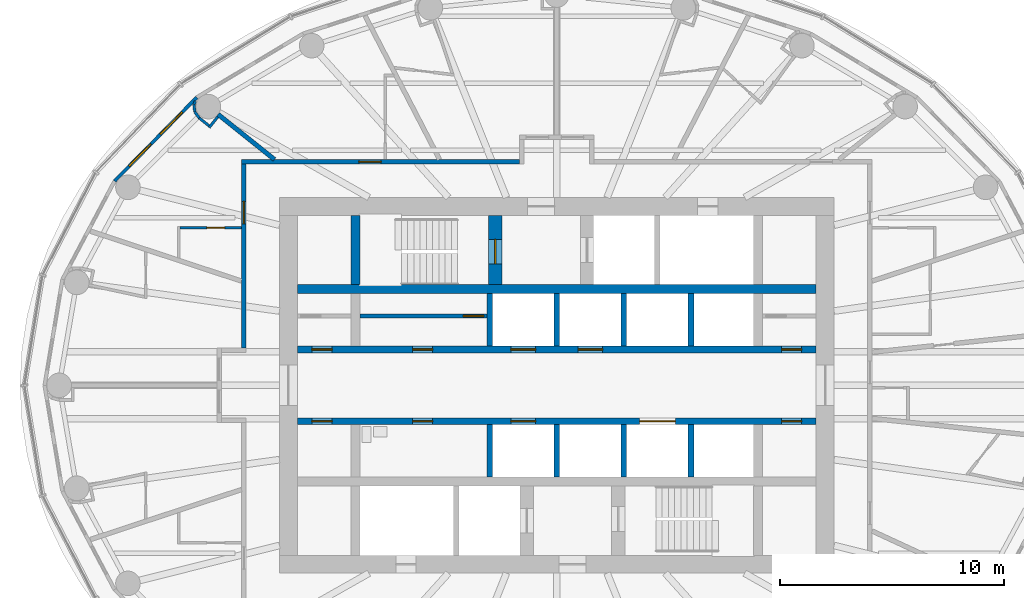
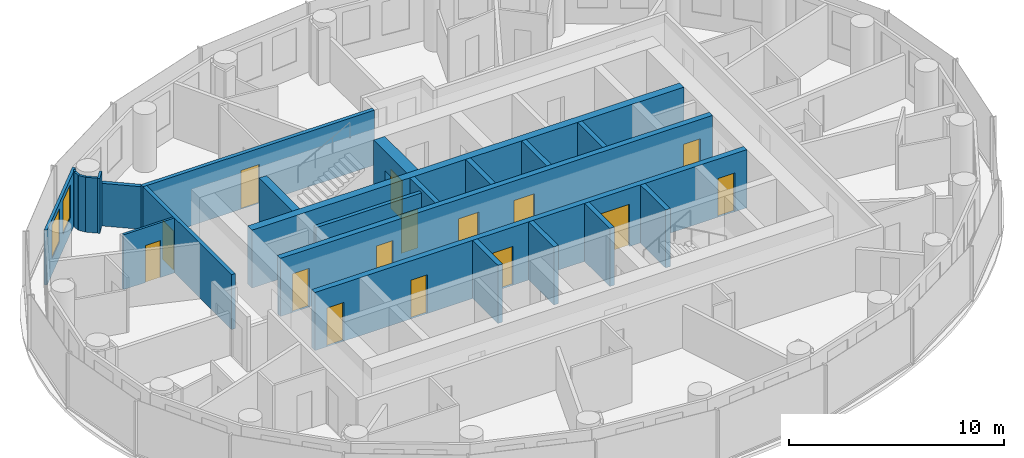
# One storey, part 9 of 16: 24 walls, 15 doors, 2 windows, 17 openings.
"""IFC4 building model written with IfcOpenShell, lengths in metres."""

from ifc_helpers import new_model, si_unit, direction, frame, frame_2d, origin, place, context, subcontext, project, spatial, rectangle, extrude, material, layer, layer_set, type_object, element, fill, save


model = new_model("IFC4")

# Units and contexts
model_context = context("Model", 3, precision=1e-05, world=origin(), true_north=direction((0.0, 1.0)))
body_context = subcontext(model_context, "Body", "Model", "MODEL_VIEW")
ifc_project = project(units=[si_unit("LENGTHUNIT", "METRE"), si_unit("AREAUNIT", "SQUARE_METRE"), si_unit("VOLUMEUNIT", "CUBIC_METRE"), si_unit("PLANEANGLEUNIT", "RADIAN"), si_unit("MASSUNIT", "GRAM", prefix="KILO")], contexts=[model_context])

# Site, building, storey
site_placement = place(None, origin())
site = spatial("IfcSite", under=ifc_project, at=site_placement, CompositionType="ELEMENT")
building_placement = place(site_placement, origin())
building = spatial("IfcBuilding", under=site, at=building_placement, Name="Hankou Lantern Tower", CompositionType="ELEMENT")
storey_placement = place(building_placement, frame((0.0, 0.0, 173.10009765625)))
storey = spatial("IfcBuildingStorey", under=building, at=storey_placement, Name="L46", CompositionType="ELEMENT", Elevation=173.10009765625)

# Walls
ifc_material_1 = material(Name="Concrete C60", Category="concrete")
ifc_layer_1 = layer(ifc_material_1, 0.39990234375)
ifc_layer_set_1 = layer_set([ifc_layer_1], Name="Concrete C60")
wall_type_1 = type_object("IfcWallType", Name="CW4 CORE CROSS WALL 400", PredefinedType="SHEAR", material=ifc_layer_set_1)
wall_1_placement = place(storey_placement, frame((-11.60009765625, 4.300048828125, 0.0), z_axis=(0.0, 0.0, 1.0), x_axis=(1.0, 0.0, 0.0)))
element("IfcWall", 1, at=wall_1_placement, inside=storey, type_object=wall_type_1, Name="Core band wall north L46", PredefinedType="SHEAR", context=body_context, shape_type="SweptSolid", body=[
    extrude(rectangle(XDim=23.2001953125, YDim=0.39990234375, at=frame_2d((11.60009765625, 0.0))), origin(), (0.0, 0.0, 1.0), 3.2998046875),
])
wall_2_placement = place(storey_placement, frame((-9.0, 4.5, 0.0), z_axis=(0.0, 0.0, 1.0), x_axis=(0.0, 1.0, 0.0)))
element("IfcWall", 2, at=wall_2_placement, inside=storey, type_object=wall_type_1, Name="Core strip wall L46", PredefinedType="SHEAR", context=body_context, shape_type="SweptSolid", body=[
    extrude(rectangle(XDim=3.10009765625, YDim=0.39990234375, at=frame_2d((1.550048828125, 0.0))), origin(), (0.0, 0.0, 1.0), 3.2998046875),
])

# Wall, openings, doors
ifc_material_2 = material(Name="Concrete C60", Category="concrete")
ifc_layer_2 = layer(ifc_material_2, 0.300048828125)
ifc_layer_set_2 = layer_set([ifc_layer_2], Name="Concrete C60")
wall_type_2 = type_object("IfcWallType", Name="CW5 LIFT LOBBY WALL 300", PredefinedType="SHEAR", material=ifc_layer_set_2)
wall_3_placement = place(storey_placement, frame((-11.60009765625, 1.60009765625, 0.0), z_axis=(0.0, 0.0, 1.0), x_axis=(1.0, 0.0, 0.0)))
wall_3 = element("IfcWall", 3, at=wall_3_placement, inside=storey, type_object=wall_type_2, Name="Lift lobby wall north L46", PredefinedType="SHEAR", context=body_context, shape_type="SweptSolid", body=[
    extrude(rectangle(XDim=23.2001953125, YDim=0.300048828125, at=frame_2d((11.60009765625, 0.0))), origin(), (0.0, 0.0, 1.0), 3.2998046875),
])
opening_1_placement = place(wall_3_placement, frame((9.550048828125, 0.0, 0.0)))
opening_1 = element("IfcOpeningElement", 4, at=opening_1_placement, cuts=wall_3, Name="Opening LD1", PredefinedType="OPENING", context=body_context, shape_type="SweptSolid", body=[
    extrude(rectangle(XDim=1.10009765625, YDim=2.199951171875, at=frame_2d((0.550048828125, 1.10009765625))), frame((0.0, 0.159912109375, 0.0), z_axis=(0.0, -1.0, 0.0), x_axis=(1.0, 0.0, 0.0)), (0.0, 0.0, 1.0), 0.320068359375),
])
opening_2_placement = place(wall_3_placement, frame((12.550048828125, 0.0, 0.0)))
opening_2 = element("IfcOpeningElement", 5, at=opening_2_placement, cuts=wall_3, Name="Opening LD1", PredefinedType="OPENING", context=body_context, shape_type="SweptSolid", body=[
    extrude(rectangle(XDim=1.10009765625, YDim=2.199951171875, at=frame_2d((0.550048828125, 1.10009765625))), frame((0.0, 0.159912109375, 0.0), z_axis=(0.0, -1.0, 0.0), x_axis=(1.0, 0.0, 0.0)), (0.0, 0.0, 1.0), 0.320068359375),
])
opening_3_placement = place(wall_3_placement, frame((0.64990234375, 0.0, 0.0)))
opening_3 = element("IfcOpeningElement", 6, at=opening_3_placement, cuts=wall_3, Name="Opening D30", PredefinedType="OPENING", context=body_context, shape_type="SweptSolid", body=[
    extrude(rectangle(XDim=0.89990234375, YDim=2.199951171875, at=frame_2d((0.449951171875, 1.10009765625))), frame((0.0, 0.159912109375, 0.0), z_axis=(0.0, -1.0, 0.0), x_axis=(1.0, 0.0, 0.0)), (0.0, 0.0, 1.0), 0.320068359375),
])
opening_4_placement = place(wall_3_placement, frame((5.14990234375, 0.0, 0.0)))
opening_4 = element("IfcOpeningElement", 7, at=opening_4_placement, cuts=wall_3, Name="Opening D30", PredefinedType="OPENING", context=body_context, shape_type="SweptSolid", body=[
    extrude(rectangle(XDim=0.89990234375, YDim=2.199951171875, at=frame_2d((0.449951171875, 1.10009765625))), frame((0.0, 0.159912109375, 0.0), z_axis=(0.0, -1.0, 0.0), x_axis=(1.0, 0.0, 0.0)), (0.0, 0.0, 1.0), 0.320068359375),
])
opening_5_placement = place(wall_3_placement, frame((21.64990234375, 0.0, 0.0)))
opening_5 = element("IfcOpeningElement", 8, at=opening_5_placement, cuts=wall_3, Name="Opening D30", PredefinedType="OPENING", context=body_context, shape_type="SweptSolid", body=[
    extrude(rectangle(XDim=0.89990234375, YDim=2.199951171875, at=frame_2d((0.449951171875, 1.10009765625))), frame((0.0, 0.159912109375, 0.0), z_axis=(0.0, -1.0, 0.0), x_axis=(1.0, 0.0, 0.0)), (0.0, 0.0, 1.0), 0.320068359375),
])
ifc_material_3 = material(Name="Steel door leaf", Category="steel")
door_type_1 = type_object("IfcDoorType", Name="D30 CORE ROOM DOOR 900X2200", OperationType="SINGLE_SWING_LEFT", PredefinedType="DOOR", material=ifc_material_3)
door_1_placement = place(opening_3_placement, origin())
door_1 = element("IfcDoor", 9, at=door_1_placement, inside=storey, type_object=door_type_1, Name="Guest pantry and ice room door", OperationType="SINGLE_SWING_LEFT", OverallHeight=2.199951171875, OverallWidth=0.89990234375, PredefinedType="DOOR", context=body_context, shape_type="SweptSolid", body=[
    extrude(rectangle(XDim=0.89990234375, YDim=2.199951171875, at=frame_2d((0.449951171875, 1.10009765625))), frame((0.0, 0.02490234375, 0.0), z_axis=(0.0, -1.0, 0.0), x_axis=(1.0, 0.0, 0.0)), (0.0, 0.0, 1.0), 0.050048828125),
])
fill(opening_3, door_1)
door_2_placement = place(opening_4_placement, origin())
door_2 = element("IfcDoor", 10, at=door_2_placement, inside=storey, type_object=door_type_1, Name="Vending room door", OperationType="SINGLE_SWING_LEFT", OverallHeight=2.199951171875, OverallWidth=0.89990234375, PredefinedType="DOOR", context=body_context, shape_type="SweptSolid", body=[
    extrude(rectangle(XDim=0.89990234375, YDim=2.199951171875, at=frame_2d((0.449951171875, 1.10009765625))), frame((0.0, 0.02490234375, 0.0), z_axis=(0.0, -1.0, 0.0), x_axis=(1.0, 0.0, 0.0)), (0.0, 0.0, 1.0), 0.050048828125),
])
fill(opening_4, door_2)
door_3_placement = place(opening_5_placement, origin())
door_3 = element("IfcDoor", 11, at=door_3_placement, inside=storey, type_object=door_type_1, Name="Staff locker room door", OperationType="SINGLE_SWING_RIGHT", OverallHeight=2.199951171875, OverallWidth=0.89990234375, PredefinedType="DOOR", context=body_context, shape_type="SweptSolid", body=[
    extrude(rectangle(XDim=0.89990234375, YDim=2.199951171875, at=frame_2d((0.449951171875, 1.10009765625))), frame((0.0, 0.02490234375, 0.0), z_axis=(0.0, -1.0, 0.0), x_axis=(1.0, 0.0, 0.0)), (0.0, 0.0, 1.0), 0.050048828125),
])
fill(opening_5, door_3)
ifc_material_4 = material(Name="Steel door leaf", Category="steel")
door_type_2 = type_object("IfcDoorType", Name="LD1 LIFT LANDING DOOR 1100X2200", OperationType="DOUBLE_DOOR_SLIDING", PredefinedType="DOOR", material=ifc_material_4)
door_4_placement = place(opening_1_placement, origin())
door_4 = element("IfcDoor", 12, at=door_4_placement, inside=storey, type_object=door_type_2, Name="Lift H1 landing door", OperationType="DOUBLE_DOOR_SLIDING", OverallHeight=2.199951171875, OverallWidth=1.10009765625, PredefinedType="DOOR", context=body_context, shape_type="SweptSolid", body=[
    extrude(rectangle(XDim=1.10009765625, YDim=2.199951171875, at=frame_2d((0.550048828125, 1.10009765625))), frame((0.0, 0.02490234375, 0.0), z_axis=(0.0, -1.0, 0.0), x_axis=(1.0, 0.0, 0.0)), (0.0, 0.0, 1.0), 0.050048828125),
])
fill(opening_1, door_4)
door_5_placement = place(opening_2_placement, origin())
door_5 = element("IfcDoor", 13, at=door_5_placement, inside=storey, type_object=door_type_2, Name="Lift H2 landing door", OperationType="DOUBLE_DOOR_SLIDING", OverallHeight=2.199951171875, OverallWidth=1.10009765625, PredefinedType="DOOR", context=body_context, shape_type="SweptSolid", body=[
    extrude(rectangle(XDim=1.10009765625, YDim=2.199951171875, at=frame_2d((0.550048828125, 1.10009765625))), frame((0.0, 0.02490234375, 0.0), z_axis=(0.0, -1.0, 0.0), x_axis=(1.0, 0.0, 0.0)), (0.0, 0.0, 1.0), 0.050048828125),
])
fill(opening_2, door_5)

wall_4_placement = place(storey_placement, frame((-11.60009765625, -1.60009765625, 0.0), z_axis=(0.0, 0.0, 1.0), x_axis=(1.0, 0.0, 0.0)))
wall_4 = element("IfcWall", 14, at=wall_4_placement, inside=storey, type_object=wall_type_2, Name="Lift lobby wall south L46", PredefinedType="SHEAR", context=body_context, shape_type="SweptSolid", body=[
    extrude(rectangle(XDim=23.2001953125, YDim=0.300048828125, at=frame_2d((11.60009765625, 0.0))), origin(), (0.0, 0.0, 1.0), 3.2998046875),
])
opening_6_placement = place(wall_4_placement, frame((9.550048828125, 0.0, 0.0)))
opening_6 = element("IfcOpeningElement", 15, at=opening_6_placement, cuts=wall_4, Name="Opening LD1", PredefinedType="OPENING", context=body_context, shape_type="SweptSolid", body=[
    extrude(rectangle(XDim=1.10009765625, YDim=2.199951171875, at=frame_2d((0.550048828125, 1.10009765625))), frame((0.0, 0.159912109375, 0.0), z_axis=(0.0, -1.0, 0.0), x_axis=(1.0, 0.0, 0.0)), (0.0, 0.0, 1.0), 0.320068359375),
])
opening_7_placement = place(wall_4_placement, frame((15.300048828125, 0.0, 0.0)))
opening_7 = element("IfcOpeningElement", 16, at=opening_7_placement, cuts=wall_4, Name="Opening LD4", PredefinedType="OPENING", context=body_context, shape_type="SweptSolid", body=[
    extrude(rectangle(XDim=1.60009765625, YDim=2.39990234375, at=frame_2d((0.800048828125, 1.199951171875))), frame((0.0, 0.159912109375, 0.0), z_axis=(0.0, -1.0, 0.0), x_axis=(1.0, 0.0, 0.0)), (0.0, 0.0, 1.0), 0.320068359375),
])
opening_8_placement = place(wall_4_placement, frame((0.64990234375, 0.0, 0.0)))
opening_8 = element("IfcOpeningElement", 17, at=opening_8_placement, cuts=wall_4, Name="Opening D30", PredefinedType="OPENING", context=body_context, shape_type="SweptSolid", body=[
    extrude(rectangle(XDim=0.89990234375, YDim=2.199951171875, at=frame_2d((0.449951171875, 1.10009765625))), frame((0.0, 0.159912109375, 0.0), z_axis=(0.0, -1.0, 0.0), x_axis=(1.0, 0.0, 0.0)), (0.0, 0.0, 1.0), 0.320068359375),
])
opening_9_placement = place(wall_4_placement, frame((5.14990234375, 0.0, 0.0)))
opening_9 = element("IfcOpeningElement", 18, at=opening_9_placement, cuts=wall_4, Name="Opening D30", PredefinedType="OPENING", context=body_context, shape_type="SweptSolid", body=[
    extrude(rectangle(XDim=0.89990234375, YDim=2.199951171875, at=frame_2d((0.449951171875, 1.10009765625))), frame((0.0, 0.159912109375, 0.0), z_axis=(0.0, -1.0, 0.0), x_axis=(1.0, 0.0, 0.0)), (0.0, 0.0, 1.0), 0.320068359375),
])
opening_10_placement = place(wall_4_placement, frame((21.64990234375, 0.0, 0.0)))
opening_10 = element("IfcOpeningElement", 19, at=opening_10_placement, cuts=wall_4, Name="Opening D30", PredefinedType="OPENING", context=body_context, shape_type="SweptSolid", body=[
    extrude(rectangle(XDim=0.89990234375, YDim=2.199951171875, at=frame_2d((0.449951171875, 1.10009765625))), frame((0.0, 0.159912109375, 0.0), z_axis=(0.0, -1.0, 0.0), x_axis=(1.0, 0.0, 0.0)), (0.0, 0.0, 1.0), 0.320068359375),
])
door_6_placement = place(opening_8_placement, origin())
door_6 = element("IfcDoor", 20, at=door_6_placement, inside=storey, type_object=door_type_1, Name="Room service pantry door", OperationType="SINGLE_SWING_LEFT", OverallHeight=2.199951171875, OverallWidth=0.89990234375, PredefinedType="DOOR", context=body_context, shape_type="SweptSolid", body=[
    extrude(rectangle(XDim=0.89990234375, YDim=2.199951171875, at=frame_2d((0.449951171875, 1.10009765625))), frame((0.0, 0.02490234375, 0.0), z_axis=(0.0, -1.0, 0.0), x_axis=(1.0, 0.0, 0.0)), (0.0, 0.0, 1.0), 0.050048828125),
])
fill(opening_8, door_6)
door_7_placement = place(opening_9_placement, origin())
door_7 = element("IfcDoor", 21, at=door_7_placement, inside=storey, type_object=door_type_1, Name="Accessible staff WC door", OperationType="SINGLE_SWING_LEFT", OverallHeight=2.199951171875, OverallWidth=0.89990234375, PredefinedType="DOOR", context=body_context, shape_type="SweptSolid", body=[
    extrude(rectangle(XDim=0.89990234375, YDim=2.199951171875, at=frame_2d((0.449951171875, 1.10009765625))), frame((0.0, 0.02490234375, 0.0), z_axis=(0.0, -1.0, 0.0), x_axis=(1.0, 0.0, 0.0)), (0.0, 0.0, 1.0), 0.050048828125),
])
fill(opening_9, door_7)
door_8_placement = place(opening_10_placement, origin())
door_8 = element("IfcDoor", 22, at=door_8_placement, inside=storey, type_object=door_type_1, Name="Housekeeping and linen store door", OperationType="SINGLE_SWING_RIGHT", OverallHeight=2.199951171875, OverallWidth=0.89990234375, PredefinedType="DOOR", context=body_context, shape_type="SweptSolid", body=[
    extrude(rectangle(XDim=0.89990234375, YDim=2.199951171875, at=frame_2d((0.449951171875, 1.10009765625))), frame((0.0, 0.02490234375, 0.0), z_axis=(0.0, -1.0, 0.0), x_axis=(1.0, 0.0, 0.0)), (0.0, 0.0, 1.0), 0.050048828125),
])
fill(opening_10, door_8)
door_9_placement = place(opening_6_placement, origin())
door_9 = element("IfcDoor", 23, at=door_9_placement, inside=storey, type_object=door_type_2, Name="Lift H3 landing door", OperationType="DOUBLE_DOOR_SLIDING", OverallHeight=2.199951171875, OverallWidth=1.10009765625, PredefinedType="DOOR", context=body_context, shape_type="SweptSolid", body=[
    extrude(rectangle(XDim=1.10009765625, YDim=2.199951171875, at=frame_2d((0.550048828125, 1.10009765625))), frame((0.0, 0.02490234375, 0.0), z_axis=(0.0, -1.0, 0.0), x_axis=(1.0, 0.0, 0.0)), (0.0, 0.0, 1.0), 0.050048828125),
])
fill(opening_6, door_9)
ifc_material_5 = material(Name="Steel door leaf", Category="steel")
door_type_3 = type_object("IfcDoorType", Name="LD4 SERVICE LIFT LANDING DOOR 1600X2400", OperationType="DOUBLE_DOOR_SLIDING", PredefinedType="DOOR", material=ifc_material_5)
door_10_placement = place(opening_7_placement, origin())
door_10 = element("IfcDoor", 24, at=door_10_placement, inside=storey, type_object=door_type_3, Name="Lift SV1 landing door", OperationType="DOUBLE_DOOR_SLIDING", OverallHeight=2.39990234375, OverallWidth=1.60009765625, PredefinedType="DOOR", context=body_context, shape_type="SweptSolid", body=[
    extrude(rectangle(XDim=1.60009765625, YDim=2.39990234375, at=frame_2d((0.800048828125, 1.199951171875))), frame((0.0, 0.02490234375, 0.0), z_axis=(0.0, -1.0, 0.0), x_axis=(1.0, 0.0, 0.0)), (0.0, 0.0, 1.0), 0.050048828125),
])
fill(opening_7, door_10)

# Wall, opening, door
ifc_material_6 = material(Name="Concrete C60", Category="concrete")
ifc_layer_3 = layer(ifc_material_6, 0.60009765625)
ifc_layer_set_3 = layer_set([ifc_layer_3], Name="Concrete C60")
wall_type_3 = type_object("IfcWallType", Name="CW6 STAIR AND SHAFT WALL 600", PredefinedType="SHEAR", material=ifc_layer_set_3)
wall_5_placement = place(storey_placement, frame((-2.75, 4.5, 0.0), z_axis=(0.0, 0.0, 1.0), x_axis=(0.0, 1.0, 0.0)))
wall_5 = element("IfcWall", 25, at=wall_5_placement, inside=storey, type_object=wall_type_3, Name="Stair wall L46", PredefinedType="SHEAR", context=body_context, shape_type="SweptSolid", body=[
    extrude(rectangle(XDim=3.10009765625, YDim=0.60009765625, at=frame_2d((1.550048828125, 0.0))), origin(), (0.0, 0.0, 1.0), 3.2998046875),
])
opening_11_placement = place(wall_5_placement, frame((0.925048828125, 0.0, 0.0)))
opening_11 = element("IfcOpeningElement", 26, at=opening_11_placement, cuts=wall_5, Name="Opening D4", PredefinedType="OPENING", context=body_context, shape_type="SweptSolid", body=[
    extrude(rectangle(XDim=1.10009765625, YDim=2.199951171875, at=frame_2d((0.550048828125, 1.10009765625))), frame((0.0, 0.31005859375, 0.0), z_axis=(0.0, -1.0, 0.0), x_axis=(1.0, 0.0, 0.0)), (0.0, 0.0, 1.0), 0.6201171875),
])
ifc_material_7 = material(Name="Steel door leaf", Category="steel")
door_type_4 = type_object("IfcDoorType", Name="D4 STAIR DOOR 1100X2200", OperationType="SINGLE_SWING_LEFT", PredefinedType="DOOR", material=ifc_material_7)
door_11_placement = place(opening_11_placement, origin())
door_11 = element("IfcDoor", 27, at=door_11_placement, inside=storey, type_object=door_type_4, Name="Stair A door", OperationType="SINGLE_SWING_LEFT", OverallHeight=2.199951171875, OverallWidth=1.10009765625, PredefinedType="DOOR", context=body_context, shape_type="SweptSolid", body=[
    extrude(rectangle(XDim=1.10009765625, YDim=2.199951171875, at=frame_2d((0.550048828125, 1.10009765625))), frame((0.0, 0.02490234375, 0.0), z_axis=(0.0, -1.0, 0.0), x_axis=(1.0, 0.0, 0.0)), (0.0, 0.0, 1.0), 0.050048828125),
])
fill(opening_11, door_11)

# Wall, openings, windows
ifc_material_8 = material(Name="Aluminium spandrel panel on steel studs", Category="steel")
ifc_layer_4 = layer(ifc_material_8, 0.14990234375)
ifc_layer_set_4 = layer_set([ifc_layer_4], Name="Aluminium spandrel panel on steel studs")
wall_type_4 = type_object("IfcWallType", Name="EW1 INNER SKIN WALL 150", PredefinedType="ELEMENTEDWALL", material=ifc_layer_set_4)
wall_6_placement = place(storey_placement, frame((-16.0947265625, 12.875732421875, 0.0), z_axis=(0.0, 0.0, 1.0), x_axis=(-0.700727467776, -0.71342905457, 0.0)))
wall_6 = element("IfcWall", 28, at=wall_6_placement, inside=storey, type_object=wall_type_4, Name="Inner skin R10-R11 L46", PredefinedType="ELEMENTEDWALL", context=body_context, shape_type="SweptSolid", body=[
    extrude(rectangle(XDim=5.247314453125, YDim=0.14990234375, at=frame_2d((2.62353515625, 0.0))), origin(), (0.0, 0.0, 1.0), 3.119873046875),
])
opening_12_placement = place(wall_6_placement, frame((0.923583984375, 0.0, 0.89990234375)))
opening_12 = element("IfcOpeningElement", 29, at=opening_12_placement, cuts=wall_6, Name="Opening W3", PredefinedType="OPENING", context=body_context, shape_type="SweptSolid", body=[
    extrude(rectangle(XDim=1.39990234375, YDim=1.89990234375, at=frame_2d((0.699951171875, 0.949951171875))), frame((0.0, 0.0849609375, 0.0), z_axis=(0.0, -1.0, 0.0), x_axis=(1.0, 0.0, 0.0)), (0.0, 0.0, 1.0), 0.169921875),
])
opening_13_placement = place(wall_6_placement, frame((2.923583984375, 0.0, 0.89990234375)))
opening_13 = element("IfcOpeningElement", 30, at=opening_13_placement, cuts=wall_6, Name="Opening W3", PredefinedType="OPENING", context=body_context, shape_type="SweptSolid", body=[
    extrude(rectangle(XDim=1.39990234375, YDim=1.89990234375, at=frame_2d((0.699951171875, 0.949951171875))), frame((0.0, 0.0849609375, 0.0), z_axis=(0.0, -1.0, 0.0), x_axis=(1.0, 0.0, 0.0)), (0.0, 0.0, 1.0), 0.169921875),
])
ifc_material_9 = material(Name="Aluminium framed double glazed window", Category="aluminium")
window_type = type_object("IfcWindowType", Name="W3 GUEST ROOM WINDOW 1400X1900", PartitioningType="DOUBLE_PANEL_VERTICAL", PredefinedType="WINDOW", material=ifc_material_9)
window_1_placement = place(opening_12_placement, origin())
window_1 = element("IfcWindow", 31, at=window_1_placement, inside=storey, type_object=window_type, Name="Window R10.1 L46", OverallHeight=1.89990234375, OverallWidth=1.39990234375, PartitioningType="SINGLE_PANEL", PredefinedType="WINDOW", context=body_context, shape_type="SweptSolid", body=[
    extrude(rectangle(XDim=1.39990234375, YDim=1.89990234375, at=frame_2d((0.699951171875, 0.949951171875))), frame((0.0, 0.030029296875, 0.0), z_axis=(0.0, -1.0, 0.0), x_axis=(1.0, 0.0, 0.0)), (0.0, 0.0, 1.0), 0.06005859375),
])
fill(opening_12, window_1)
window_2_placement = place(opening_13_placement, origin())
window_2 = element("IfcWindow", 32, at=window_2_placement, inside=storey, type_object=window_type, Name="Window R10.2 L46", OverallHeight=1.89990234375, OverallWidth=1.39990234375, PartitioningType="SINGLE_PANEL", PredefinedType="WINDOW", context=body_context, shape_type="SweptSolid", body=[
    extrude(rectangle(XDim=1.39990234375, YDim=1.89990234375, at=frame_2d((0.699951171875, 0.949951171875))), frame((0.0, 0.030029296875, 0.0), z_axis=(0.0, -1.0, 0.0), x_axis=(1.0, 0.0, 0.0)), (0.0, 0.0, 1.0), 0.06005859375),
])
fill(opening_13, window_2)

# Wall
ifc_material_10 = material(Name="Masonry lightweight concrete block", Category="masonry")
ifc_layer_5 = layer(ifc_material_10, 0.199951171875)
ifc_layer_set_5 = layer_set([ifc_layer_5], Name="Masonry lightweight concrete block")
wall_type_5 = type_object("IfcWallType", Name="IW1 GUEST ROOM PARTY WALL 200", PredefinedType="PARTITIONING", material=ifc_layer_set_5)
wall_7_placement = place(storey_placement, frame((-12.625, 10.10009765625, 0.0), z_axis=(0.0, 0.0, 1.0), x_axis=(-0.780876185034, 0.624685827954, 0.0)))
element("IfcWall", 33, at=wall_7_placement, inside=storey, type_object=wall_type_5, Name="Party wall R10", PredefinedType="PARTITIONING", context=body_context, shape_type="SweptSolid", body=[
    extrude(rectangle(XDim=3.229248046875, YDim=0.199951171875, at=frame_2d((1.61474609375, 0.0))), origin(), (0.0, 0.0, 1.0), 2.419921875),
])

# Wall, opening, door
ifc_material_11 = material(Name="Masonry lightweight concrete block", Category="masonry")
ifc_layer_6 = layer(ifc_material_11, 0.199951171875)
ifc_layer_set_6 = layer_set([ifc_layer_6], Name="Masonry lightweight concrete block")
wall_type_6 = type_object("IfcWallType", Name="IW2 CORRIDOR WALL 200", PredefinedType="PARTITIONING", material=ifc_layer_set_6)
wall_8_placement = place(storey_placement, frame((-14.10009765625, 10.0, 0.0), z_axis=(0.0, 0.0, 1.0), x_axis=(1.0, 0.0, 0.0)))
wall_8 = element("IfcWall", 34, at=wall_8_placement, inside=storey, type_object=wall_type_6, Name="Corridor wall north", PredefinedType="PARTITIONING", context=body_context, shape_type="SweptSolid", body=[
    extrude(rectangle(XDim=12.43017578125, YDim=0.199951171875, at=frame_2d((6.215087890625, 0.0))), origin(), (0.0, 0.0, 1.0), 3.119873046875),
])
opening_14_placement = place(wall_8_placement, frame((5.25, 0.0, 0.0)))
opening_14 = element("IfcOpeningElement", 35, at=opening_14_placement, cuts=wall_8, Name="Opening D1", PredefinedType="OPENING", context=body_context, shape_type="SweptSolid", body=[
    extrude(rectangle(XDim=1.0, YDim=2.199951171875, at=frame_2d((0.5, 1.10009765625))), frame((0.0, 0.10986328125, 0.0), z_axis=(0.0, -1.0, 0.0), x_axis=(1.0, 0.0, 0.0)), (0.0, 0.0, 1.0), 0.219970703125),
])
ifc_material_12 = material(Name="Steel door leaf", Category="steel")
door_type_5 = type_object("IfcDoorType", Name="D1 GUEST ROOM DOOR 1000X2200", OperationType="SINGLE_SWING_LEFT", PredefinedType="DOOR", material=ifc_material_12)
door_12_placement = place(opening_14_placement, origin())
door_12 = element("IfcDoor", 36, at=door_12_placement, inside=storey, type_object=door_type_5, Name="Guest room door 4610", OperationType="SINGLE_SWING_RIGHT", OverallHeight=2.199951171875, OverallWidth=1.0, PredefinedType="DOOR", context=body_context, shape_type="SweptSolid", body=[
    extrude(rectangle(XDim=1.0, YDim=2.199951171875, at=frame_2d((0.5, 1.10009765625))), frame((0.0, 0.02490234375, 0.0), z_axis=(0.0, -1.0, 0.0), x_axis=(1.0, 0.0, 0.0)), (0.0, 0.0, 1.0), 0.050048828125),
])
fill(opening_14, door_12)

wall_9_placement = place(storey_placement, frame((-14.0, 9.89990234375, 0.0), z_axis=(0.0, 0.0, 1.0), x_axis=(0.0, -1.0, 0.0)))
wall_9 = element("IfcWall", 37, at=wall_9_placement, inside=storey, type_object=wall_type_6, Name="Corridor wall west", PredefinedType="PARTITIONING", context=body_context, shape_type="SweptSolid", body=[
    extrude(rectangle(XDim=8.22998046875, YDim=0.199951171875, at=frame_2d((4.114990234375, 0.0))), origin(), (0.0, 0.0, 1.0), 3.119873046875),
])
opening_15_placement = place(wall_9_placement, frame((1.678466796875, 0.0, 0.0)))
opening_15 = element("IfcOpeningElement", 38, at=opening_15_placement, cuts=wall_9, Name="Opening D1", PredefinedType="OPENING", context=body_context, shape_type="SweptSolid", body=[
    extrude(rectangle(XDim=1.0, YDim=2.199951171875, at=frame_2d((0.5, 1.10009765625))), frame((0.0, 0.10986328125, 0.0), z_axis=(0.0, -1.0, 0.0), x_axis=(1.0, 0.0, 0.0)), (0.0, 0.0, 1.0), 0.219970703125),
])
door_13_placement = place(opening_15_placement, origin())
door_13 = element("IfcDoor", 39, at=door_13_placement, inside=storey, type_object=door_type_5, Name="Guest room door 4611", OperationType="SINGLE_SWING_LEFT", OverallHeight=2.199951171875, OverallWidth=1.0, PredefinedType="DOOR", context=body_context, shape_type="SweptSolid", body=[
    extrude(rectangle(XDim=1.0, YDim=2.199951171875, at=frame_2d((0.5, 1.10009765625))), frame((0.0, 0.02490234375, 0.0), z_axis=(0.0, -1.0, 0.0), x_axis=(1.0, 0.0, 0.0)), (0.0, 0.0, 1.0), 0.050048828125),
])
fill(opening_15, door_13)

ifc_material_13 = material(Name="Masonry lightweight concrete block", Category="masonry")
ifc_layer_7 = layer(ifc_material_13, 0.1201171875)
ifc_layer_set_7 = layer_set([ifc_layer_7], Name="Masonry lightweight concrete block")
wall_type_7 = type_object("IfcWallType", Name="IW3 BATHROOM WALL 120", PredefinedType="PARTITIONING", material=ifc_layer_set_7)
wall_10_placement = place(storey_placement, frame((-14.10009765625, 7.04150390625, 0.0), z_axis=(0.0, 0.0, 1.0), x_axis=(-1.0, 0.0, 0.0)))
wall_10 = element("IfcWall", 40, at=wall_10_placement, inside=storey, type_object=wall_type_7, Name="Box wall 4611 1", PredefinedType="PARTITIONING", context=body_context, shape_type="SweptSolid", body=[
    extrude(rectangle(XDim=2.739990234375, YDim=0.1201171875, at=frame_2d((1.3701171875, 0.0))), origin(), (0.0, 0.0, 1.0), 3.119873046875),
])
opening_16_placement = place(wall_10_placement, frame((0.75, 0.0, 0.0)))
opening_16 = element("IfcOpeningElement", 41, at=opening_16_placement, cuts=wall_10, Name="Opening D3", PredefinedType="OPENING", context=body_context, shape_type="SweptSolid", body=[
    extrude(rectangle(XDim=0.800048828125, YDim=2.10009765625, at=frame_2d((0.39990234375, 1.050048828125))), frame((0.0, 0.070068359375, 0.0), z_axis=(0.0, -1.0, 0.0), x_axis=(1.0, 0.0, 0.0)), (0.0, 0.0, 1.0), 0.14013671875),
])
ifc_material_14 = material(Name="Timber door leaf", Category="wood")
door_type_6 = type_object("IfcDoorType", Name="D3 BATHROOM DOOR 800X2100", OperationType="SINGLE_SWING_LEFT", PredefinedType="DOOR", material=ifc_material_14)
door_14_placement = place(opening_16_placement, origin())
door_14 = element("IfcDoor", 42, at=door_14_placement, inside=storey, type_object=door_type_6, Name="En-suite bathroom 4611 door", OperationType="SINGLE_SWING_LEFT", OverallHeight=2.10009765625, OverallWidth=0.800048828125, PredefinedType="DOOR", context=body_context, shape_type="SweptSolid", body=[
    extrude(rectangle(XDim=0.800048828125, YDim=2.10009765625, at=frame_2d((0.39990234375, 1.050048828125))), frame((0.0, 0.02490234375, 0.0), z_axis=(0.0, -1.0, 0.0), x_axis=(1.0, 0.0, 0.0)), (0.0, 0.0, 1.0), 0.050048828125),
])
fill(opening_16, door_14)

# Walls
ifc_material_15 = material(Name="Masonry lightweight concrete block", Category="masonry")
ifc_layer_8 = layer(ifc_material_15, 0.1201171875)
ifc_layer_set_8 = layer_set([ifc_layer_8], Name="Masonry lightweight concrete block")
wall_type_8 = type_object("IfcWallType", Name="IW4 PARTITION 120", PredefinedType="PARTITIONING", material=ifc_layer_set_8)
wall_11_placement = place(storey_placement, frame((-15.162353515625, 12.001708984375, 0.0), z_axis=(0.0, 0.0, 1.0), x_axis=(-0.624597762427, -0.780946627607, 0.0)))
element("IfcWall", 43, at=wall_11_placement, inside=storey, type_object=wall_type_8, Name="Column casing R10 return", PredefinedType="PARTITIONING", context=body_context, shape_type="SweptSolid", body=[
    extrude(rectangle(XDim=0.612060546875, YDim=0.1201171875, at=frame_2d((0.30615234375, 0.0))), origin(), (0.0, 0.0, 1.0), 3.119873046875),
])
wall_12_placement = place(storey_placement, frame((-15.55419921875, 11.60791015625, 0.0), z_axis=(0.0, 0.0, 1.0), x_axis=(-0.780695577787, 0.624911525597, 0.0)))
element("IfcWall", 44, at=wall_12_placement, inside=storey, type_object=wall_type_8, Name="Column casing R10", PredefinedType="PARTITIONING", context=body_context, shape_type="SweptSolid", body=[
    extrude(rectangle(XDim=0.550048828125, YDim=0.1201171875, at=frame_2d((0.27490234375, 0.0))), origin(), (0.0, 0.0, 1.0), 3.119873046875),
])
wall_13_placement = place(storey_placement, frame((-15.983642578125, 11.95166015625, 0.0), z_axis=(0.0, 0.0, 1.0), x_axis=(-0.592335221171, 0.805691619517, 0.0)))
element("IfcWall", 45, at=wall_13_placement, inside=storey, type_object=wall_type_8, Name="Column casing R10", PredefinedType="PARTITIONING", context=body_context, shape_type="SweptSolid", body=[
    extrude(rectangle(XDim=0.337646484375, YDim=0.1201171875, at=frame_2d((0.1689453125, 0.0))), origin(), (0.0, 0.0, 1.0), 3.119873046875),
])
wall_14_placement = place(storey_placement, frame((-16.18359375, 12.2236328125, 0.0), z_axis=(0.0, 0.0, 1.0), x_axis=(-0.110669692975, 0.993857242795, 0.0)))
element("IfcWall", 46, at=wall_14_placement, inside=storey, type_object=wall_type_8, Name="Column casing R10", PredefinedType="PARTITIONING", context=body_context, shape_type="SweptSolid", body=[
    extrude(rectangle(XDim=0.33740234375, YDim=0.1201171875, at=frame_2d((0.168701171875, 0.0))), origin(), (0.0, 0.0, 1.0), 3.119873046875),
])
wall_15_placement = place(storey_placement, frame((-16.220947265625, 12.55908203125, 0.0), z_axis=(0.0, 0.0, 1.0), x_axis=(0.401064416249, 0.916049853457, 0.0)))
element("IfcWall", 47, at=wall_15_placement, inside=storey, type_object=wall_type_8, Name="Column casing R10", PredefinedType="PARTITIONING", context=body_context, shape_type="SweptSolid", body=[
    extrude(rectangle(XDim=0.156494140625, YDim=0.1201171875, at=frame_2d((0.078125, 0.0))), origin(), (0.0, 0.0, 1.0), 3.119873046875),
])

# Wall, opening, door
ifc_material_16 = material(Name="Masonry lightweight concrete block", Category="masonry")
ifc_layer_9 = layer(ifc_material_16, 0.199951171875)
ifc_layer_set_9 = layer_set([ifc_layer_9], Name="Masonry lightweight concrete block")
wall_type_9 = type_object("IfcWallType", Name="IW8 PARTITION 200", PredefinedType="PARTITIONING", material=ifc_layer_set_9)
wall_16_placement = place(storey_placement, frame((-8.800048828125, 3.10009765625, 0.0), z_axis=(0.0, 0.0, 1.0), x_axis=(1.0, 0.0, 0.0)))
wall_16 = element("IfcWall", 48, at=wall_16_placement, inside=storey, type_object=wall_type_9, Name="Partition vending room", PredefinedType="PARTITIONING", context=body_context, shape_type="SweptSolid", body=[
    extrude(rectangle(XDim=5.675048828125, YDim=0.199951171875, at=frame_2d((2.83740234375, 0.0))), origin(), (0.0, 0.0, 1.0), 3.119873046875),
])
opening_17_placement = place(wall_16_placement, frame((4.625, 0.0, 0.0)))
opening_17 = element("IfcOpeningElement", 49, at=opening_17_placement, cuts=wall_16, Name="Opening D12", PredefinedType="OPENING", context=body_context, shape_type="SweptSolid", body=[
    extrude(rectangle(XDim=0.89990234375, YDim=2.199951171875, at=frame_2d((0.449951171875, 1.10009765625))), frame((0.0, 0.10986328125, 0.0), z_axis=(0.0, -1.0, 0.0), x_axis=(1.0, 0.0, 0.0)), (0.0, 0.0, 1.0), 0.219970703125),
])
ifc_material_17 = material(Name="Steel door leaf", Category="steel")
door_type_7 = type_object("IfcDoorType", Name="D12 STORE DOOR 900X2200", OperationType="SINGLE_SWING_LEFT", PredefinedType="DOOR", material=ifc_material_17)
door_15_placement = place(opening_17_placement, origin())
door_15 = element("IfcDoor", 50, at=door_15_placement, inside=storey, type_object=door_type_7, Name="Vending stock cupboard door", OperationType="SINGLE_SWING_RIGHT", OverallHeight=2.199951171875, OverallWidth=0.89990234375, PredefinedType="DOOR", context=body_context, shape_type="SweptSolid", body=[
    extrude(rectangle(XDim=0.89990234375, YDim=2.199951171875, at=frame_2d((0.449951171875, 1.10009765625))), frame((0.0, 0.02490234375, 0.0), z_axis=(0.0, -1.0, 0.0), x_axis=(1.0, 0.0, 0.0)), (0.0, 0.0, 1.0), 0.050048828125),
])
fill(opening_17, door_15)

# Walls
ifc_material_18 = material(Name="Masonry autoclaved aerated concrete block", Category="masonry")
ifc_layer_10 = layer(ifc_material_18, 0.25)
ifc_layer_set_10 = layer_set([ifc_layer_10], Name="Masonry autoclaved aerated concrete block")
wall_type_10 = type_object("IfcWallType", Name="SW1 SHAFT BLOCK WALL 250", PredefinedType="PARTITIONING", material=ifc_layer_set_10)
for number, where, z_axis, x_axis, name in (
    (51, (-3.0, 1.75, 0.0), (0.0, 0.0, 1.0), (0.0, 1.0, 0.0), "Lift shaft wall L46"),
    (52, (0.0, 1.75, 0.0), (0.0, 0.0, 1.0), (0.0, 1.0, 0.0), "Lift shaft wall L46"),
    (53, (3.0, 1.75, 0.0), (0.0, 0.0, 1.0), (0.0, 1.0, 0.0), "Lift shaft wall L46"),
    (54, (6.0, 1.75, 0.0), (0.0, 0.0, 1.0), (0.0, 1.0, 0.0), "Lift shaft wall L46"),
    (55, (-3.0, -4.10009765625, 0.0), (0.0, 0.0, 1.0), (0.0, 1.0, 0.0), "Lift shaft wall L46"),
    (56, (0.0, -4.10009765625, 0.0), (0.0, 0.0, 1.0), (0.0, 1.0, 0.0), "Lift shaft wall L46"),
    (57, (3.0, -4.10009765625, 0.0), (0.0, 0.0, 1.0), (0.0, 1.0, 0.0), "Lift shaft wall L46"),
    (58, (6.0, -4.10009765625, 0.0), (0.0, 0.0, 1.0), (0.0, 1.0, 0.0), "Lift shaft wall L46"),
):
    element("IfcWall", number, at=place(storey_placement, frame(where, z_axis=z_axis, x_axis=x_axis)), inside=storey, type_object=wall_type_10, Name=name, PredefinedType="PARTITIONING", context=body_context, shape_type="SweptSolid", body=[
        extrude(rectangle(XDim=2.35009765625, YDim=0.25, at=frame_2d((1.175048828125, 0.0))), origin(), (0.0, 0.0, 1.0), 3.2998046875),
    ])

save(model, "model.ifc")
